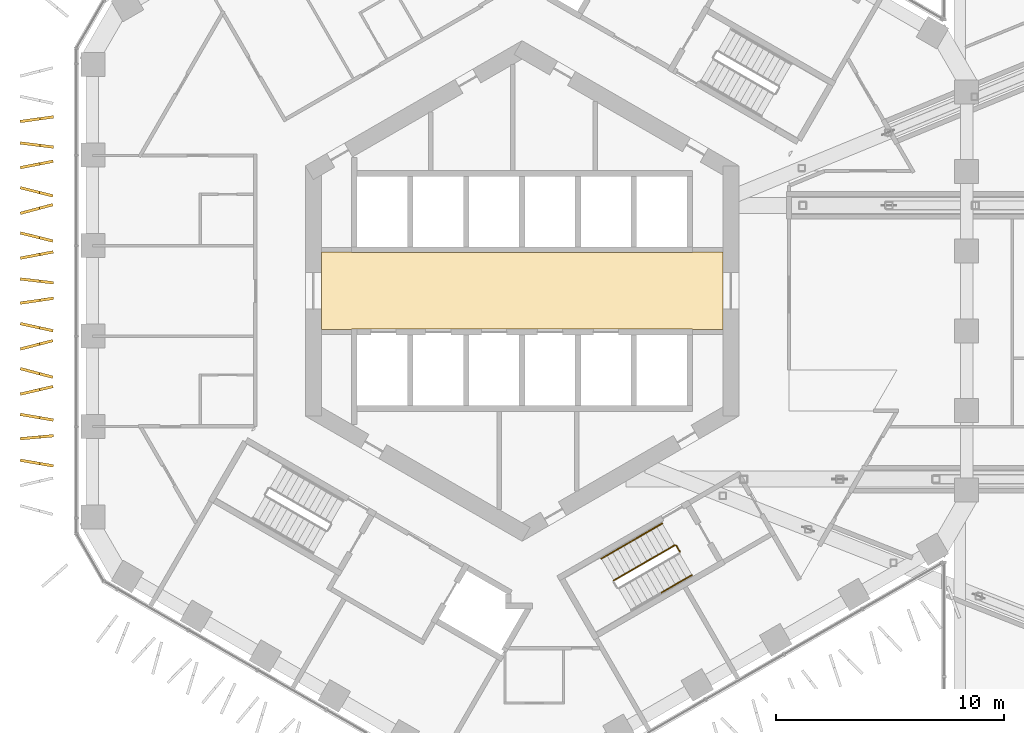
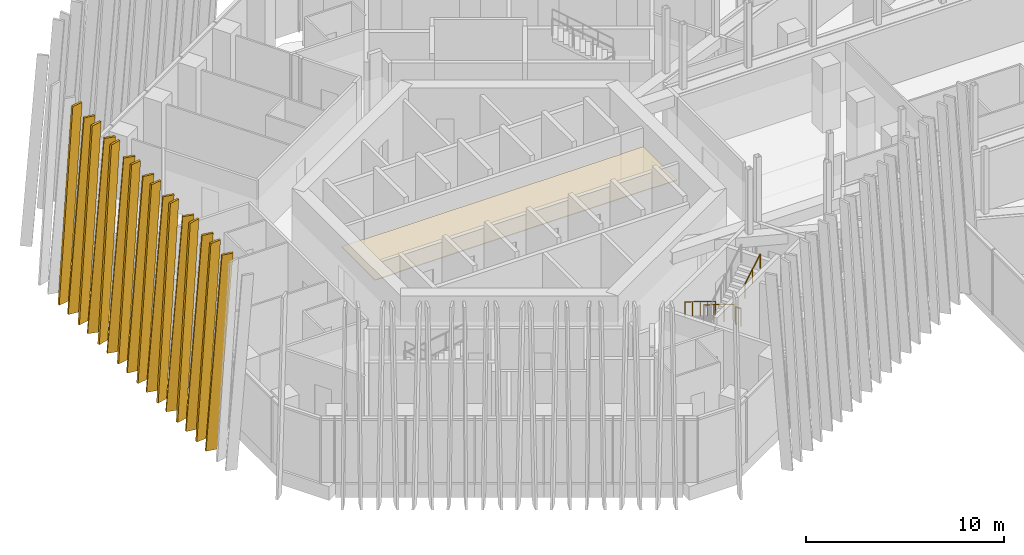
# One storey, part 26 of 28: 16 shading devices, 5 railings, 1 covering.
"""IFC4 building model written with IfcOpenShell, lengths in metres."""

from ifc_helpers import new_model, si_unit, direction, frame, origin, origin_2d, place, context, subcontext, project, spatial, polyline, circle, outline, extrude, material, layer, layer_set, type_object, element, save


model = new_model("IFC4")

# Units and contexts
model_context = context("Model", 3, precision=1e-05, world=origin(), true_north=direction((0.0, 1.0)))
body_context = subcontext(model_context, "Body", "Model", "MODEL_VIEW")
ifc_project = project(units=[si_unit("LENGTHUNIT", "METRE"), si_unit("AREAUNIT", "SQUARE_METRE"), si_unit("VOLUMEUNIT", "CUBIC_METRE"), si_unit("PLANEANGLEUNIT", "RADIAN"), si_unit("MASSUNIT", "GRAM", prefix="KILO")], contexts=[model_context])

# Site, building, storey
site_placement = place(None, origin())
site = spatial("IfcSite", under=ifc_project, at=site_placement, CompositionType="ELEMENT")
building_placement = place(site_placement, origin())
building = spatial("IfcBuilding", under=site, at=building_placement, Name="Ayvan Gate Tower", CompositionType="ELEMENT")
storey_placement = place(building_placement, frame((0.0, 0.0, 120.5)))
storey = spatial("IfcBuildingStorey", under=building, at=storey_placement, Name="L32", CompositionType="ELEMENT", Elevation=120.5)

# Shading devices
ifc_material_1 = material(Name="Bronze anodised aluminium", Category="aluminium")
ifc_layer_1 = layer(ifc_material_1, 0.1201171875)
ifc_layer_set_1 = layer_set([ifc_layer_1], Name="Bronze anodised aluminium")
shading_device_type = type_object("IfcShadingDeviceType", Name="Bronze fin 600 x 120", PredefinedType="USERDEFINED", material=ifc_layer_set_1)
shading_device_1_placement = place(storey_placement, frame((-21.40869140625, 7.5693359375, 0.0), z_axis=(-0.139142622018, 0.990272345003, 0.000116018237), x_axis=(-0.990272351668, -0.139142622954, 0.0)))
element("IfcShadingDevice", 1, at=shading_device_1_placement, inside=storey, type_object=shading_device_type, Name="Bronze fin FG11.10.117", ObjectType="FIN", PredefinedType="USERDEFINED", context=body_context, shape_type="SweptSolid", body=[
    extrude(outline(polyline([(0.0, 0.0), (0.600075605715199, 1.6940658945086007e-21), (-0.2712456323257532, 11.879882892452986), (-0.8713212380409522, 11.879882892452986), (0.0, 0.0)])), origin(), (0.0, 0.0, -1.0), 0.1201171875),
])
shading_device_2_placement = place(storey_placement, frame((-21.392333984375, 6.471923828125, 0.0), z_axis=(0.123283541368, 0.992371476554, 0.000144739623), x_axis=(-0.992371486949, 0.123283542659, 0.0)))
element("IfcShadingDevice", 2, at=shading_device_2_placement, inside=storey, type_object=shading_device_type, Name="Bronze fin FG11.10.118", ObjectType="FIN", PredefinedType="USERDEFINED", context=body_context, shape_type="SweptSolid", body=[
    extrude(outline(polyline([(0.0, 0.0), (0.600036369651949, 0.0), (-0.271324757998227, 11.87988293693915), (-0.8713611276501759, 11.87988293693915), (0.0, 0.0)])), origin(), (0.0, 0.0, -1.0), 0.1201171875),
])
shading_device_3_placement = place(storey_placement, frame((-21.415283203125, 5.57763671875, 0.0), z_axis=(-0.195333484486, 0.980736870023, 0.000147021966), x_axis=(-0.980736880623, -0.195333486597, 0.0)))
element("IfcShadingDevice", 3, at=shading_device_3_placement, inside=storey, type_object=shading_device_type, Name="Bronze fin FG11.10.119", ObjectType="FIN", PredefinedType="USERDEFINED", context=body_context, shape_type="SweptSolid", body=[
    extrude(outline(polyline([(0.0, 0.0), (0.5999355361005015, 3.3881317890172014e-21), (-0.2712412033556911, 11.879882940894559), (-0.8711767394561927, 11.879882940894559), (0.0, 0.0)])), origin(), (0.0, 0.0, -1.0), 0.1201171875),
])
shading_device_4_placement = place(storey_placement, frame((-21.392578125, 4.4384765625, 0.0), z_axis=(0.242918566944, 0.970046672686, 0.000150483977), x_axis=(-0.970046683669, 0.242918569694, 0.0)))
element("IfcShadingDevice", 4, at=shading_device_4_placement, inside=storey, type_object=shading_device_type, Name="Bronze fin FG11.10.120", ObjectType="FIN", PredefinedType="USERDEFINED", context=body_context, shape_type="SweptSolid", body=[
    extrude(outline(polyline([(0.0, 0.0), (0.6000033398376335, 6.776263578034403e-21), (-0.27125455943198556, 11.879882947012513), (-0.8712578992696192, 11.879882947012513), (0.0, 0.0)])), origin(), (0.0, 0.0, -1.0), 0.1201171875),
])
shading_device_5_placement = place(storey_placement, frame((-21.424072265625, 3.614990234375, 0.0), z_axis=(-0.258776759226, 0.965937148433, 0.000119004117), x_axis=(-0.965937155273, -0.258776761059, 0.0)))
element("IfcShadingDevice", 5, at=shading_device_5_placement, inside=storey, type_object=shading_device_type, Name="Bronze fin FG11.10.121", ObjectType="FIN", PredefinedType="USERDEFINED", context=body_context, shape_type="SweptSolid", body=[
    extrude(outline(polyline([(0.0, 0.0), (0.6000285221314199, 0.0), (-0.27132751184973447, 11.87988289662133), (-0.8713560339811544, 11.87988289662133), (0.0, 0.0)])), origin(), (0.0, 0.0, -1.0), 0.1201171875),
])
shading_device_6_placement = place(storey_placement, frame((-21.392578125, 2.456787109375, 0.0), z_axis=(0.239086931689, 0.970998160018, 0.000111072524), x_axis=(-0.970998166008, 0.239086933162, 2.1946e-08)))
element("IfcShadingDevice", 6, at=shading_device_6_placement, inside=storey, type_object=shading_device_type, Name="Bronze fin FG11.10.122", ObjectType="FIN", PredefinedType="USERDEFINED", context=body_context, shape_type="SweptSolid", body=[
    extrude(outline(polyline([(0.0, 0.0), (0.5998890756497894, -3.3881317890172014e-21), (-0.2713690219555049, 11.879882891737275), (-0.8713164684385858, 11.87988291806942), (0.0, 0.0)])), origin(), (0.0, 0.0, -1.0), 0.1201171875),
])
shading_device_7_placement = place(storey_placement, frame((-21.414306640625, 1.609130859375, 0.0), z_axis=(-0.187579527412, 0.98224941252, 0.000111800518), x_axis=(-0.982249418659, -0.187579528584, 0.0)))
element("IfcShadingDevice", 7, at=shading_device_7_placement, inside=storey, type_object=shading_device_type, Name="Bronze fin FG11.10.123", ObjectType="FIN", PredefinedType="USERDEFINED", context=body_context, shape_type="SweptSolid", body=[
    extrude(outline(polyline([(0.0, 0.0), (0.6000059226856373, 0.0), (-0.27116577379841916, 11.879882886745442), (-0.8711716964840566, 11.879882886745442), (0.0, 0.0)])), origin(), (0.0, 0.0, -1.0), 0.1201171875),
])
shading_device_8_placement = place(storey_placement, frame((-21.392578125, 0.516845703125, 0.0), z_axis=(0.114963920064, 0.993369659741, 0.000127237293), x_axis=(-0.993369667782, 0.114963920992, 2.5719e-08)))
element("IfcShadingDevice", 8, at=shading_device_8_placement, inside=storey, type_object=shading_device_type, Name="Bronze fin FG11.10.124", ObjectType="FIN", PredefinedType="USERDEFINED", context=body_context, shape_type="SweptSolid", body=[
    extrude(outline(polyline([(0.0, 0.0), (0.599910933783354, 0.0), (-0.2715048894467744, 11.879882915646414), (-0.8714438905936517, 11.879882946504965), (0.0, 0.0)])), origin(), (0.0, 0.0, -1.0), 0.1201171875),
])
shading_device_9_placement = place(storey_placement, frame((-21.409423828125, -0.387451171875, 0.0), z_axis=(-0.14586295293, 0.989304797904, 0.000125723382), x_axis=(-0.989304805723, -0.145862954079, -2.9029e-08)))
element("IfcShadingDevice", 9, at=shading_device_9_placement, inside=storey, type_object=shading_device_type, Name="Bronze fin FG11.10.125", ObjectType="FIN", PredefinedType="USERDEFINED", context=body_context, shape_type="SweptSolid", body=[
    extrude(outline(polyline([(0.0, 0.0), (0.6001484924510518, 0.0), (-0.27123811515333873, 11.879882898515223), (-0.8711806891835788, 11.879882863678151), (0.0, 0.0)])), origin(), (0.0, 0.0, -1.0), 0.1201171875),
])
shading_device_10_placement = place(storey_placement, frame((-21.39208984375, -1.49951171875, 0.0), z_axis=(0.21158492706, 0.977359605382, 0.000142856117), x_axis=(-0.977359615355, 0.211584929219, 0.0)))
element("IfcShadingDevice", 10, at=shading_device_10_placement, inside=storey, type_object=shading_device_type, Name="Bronze fin FG11.10.126", ObjectType="FIN", PredefinedType="USERDEFINED", context=body_context, shape_type="SweptSolid", body=[
    extrude(outline(polyline([(0.0, 0.0), (0.6000102439641665, 0.0), (-0.27139617566686086, 11.879882933721555), (-0.8714064196310274, 11.879882933721555), (0.0, 0.0)])), origin(), (0.0, 0.0, -1.0), 0.1201171875),
])
shading_device_11_placement = place(storey_placement, frame((-21.4228515625, -2.33642578125, 0.0), z_axis=(-0.25104687957, 0.967974921389, 0.000125777554), x_axis=(-0.967974929046, -0.251046881556, 0.0)))
element("IfcShadingDevice", 11, at=shading_device_11_placement, inside=storey, type_object=shading_device_type, Name="Bronze fin FG11.10.127", ObjectType="FIN", PredefinedType="USERDEFINED", context=body_context, shape_type="SweptSolid", body=[
    extrude(outline(polyline([(0.0, 0.0), (0.6000264360643915, 0.0), (-0.27125117120288017, 11.879882906469835), (-0.8712776072672715, 11.879882906469835), (0.0, 0.0)])), origin(), (0.0, 0.0, -1.0), 0.1201171875),
])
shading_device_12_placement = place(storey_placement, frame((-21.39306640625, -3.498291015625, 0.0), z_axis=(0.256395898591, 0.966571839926, 0.000146448378), x_axis=(-0.966571850291, 0.25639590134, 0.0)))
element("IfcShadingDevice", 12, at=shading_device_12_placement, inside=storey, type_object=shading_device_type, Name="Bronze fin FG11.10.128", ObjectType="FIN", PredefinedType="USERDEFINED", context=body_context, shape_type="SweptSolid", body=[
    extrude(outline(polyline([(0.0, 0.0), (0.5998871001676402, 0.0), (-0.27148417933450364, 11.879882939894683), (-0.8713712795021438, 11.879882939894683), (0.0, 0.0)])), origin(), (0.0, 0.0, -1.0), 0.1201171875),
])
shading_device_13_placement = place(storey_placement, frame((-21.419677734375, -4.3271484375, 0.0), z_axis=(-0.227281071918, 0.973829194448, 0.000119952136), x_axis=(-0.973829201455, -0.22728107355, -2.377e-08)))
element("IfcShadingDevice", 13, at=shading_device_13_placement, inside=storey, type_object=shading_device_type, Name="Bronze fin FG11.10.129", ObjectType="FIN", PredefinedType="USERDEFINED", context=body_context, shape_type="SweptSolid", body=[
    extrude(outline(polyline([(0.0, 0.0), (0.5999013960258962, 0.0), (-0.2714283291430857, 11.87988289151521), (-0.8713852137123292, 11.87988286299512), (0.0, 0.0)])), origin(), (0.0, 0.0, -1.0), 0.1201171875),
])
shading_device_14_placement = place(storey_placement, frame((-21.391845703125, -5.45068359375, 0.0), z_axis=(0.168455572835, 0.985709239594, 0.000122307574), x_axis=(-0.985709246967, 0.168455574095, -4.193e-09)))
element("IfcShadingDevice", 14, at=shading_device_14_placement, inside=storey, type_object=shading_device_type, Name="Bronze fin FG11.10.130", ObjectType="FIN", PredefinedType="USERDEFINED", context=body_context, shape_type="SweptSolid", body=[
    extrude(outline(polyline([(0.0, 0.0), (0.5998848642161853, 0.0), (-0.271210460447509, 11.879882900219362), (-0.871335976335317, 11.879882895188228), (0.0, 0.0)])), origin(), (0.0, 0.0, -1.0), 0.1201171875),
])
shading_device_15_placement = place(storey_placement, frame((-21.404052734375, -6.36328125, 0.0), z_axis=(-0.091764833506, 0.995780698841, 0.000123072824), x_axis=(-0.995780706383, -0.091764834198, -2.4936e-08)))
element("IfcShadingDevice", 15, at=shading_device_15_placement, inside=storey, type_object=shading_device_type, Name="Bronze fin FG11.10.131", ObjectType="FIN", PredefinedType="USERDEFINED", context=body_context, shape_type="SweptSolid", body=[
    extrude(outline(polyline([(0.0, 0.0), (0.5999322451693687, 0.0), (-0.2712743846323506, 11.879882895707215), (-0.8712290333256935, 11.879882865786357), (0.0, 0.0)])), origin(), (0.0, 0.0, -1.0), 0.1201171875),
])
shading_device_16_placement = place(storey_placement, frame((-21.391845703125, -7.460693359375, 0.0), z_axis=(0.168455572835, 0.985709239594, 0.000122307574), x_axis=(-0.985709246967, 0.168455574095, -4.193e-09)))
element("IfcShadingDevice", 16, at=shading_device_16_placement, inside=storey, type_object=shading_device_type, Name="Bronze fin FG11.10.132", ObjectType="FIN", PredefinedType="USERDEFINED", context=body_context, shape_type="SweptSolid", body=[
    extrude(outline(polyline([(0.0, 0.0), (0.5998848642161853, 0.0), (-0.271210460447509, 11.879882900219362), (-0.871335976335317, 11.879882895188228), (0.0, 0.0)])), origin(), (0.0, 0.0, -1.0), 0.1201171875),
])

# Covering
ifc_material_2 = material(Name="Plasterboard suspended ceiling")
ifc_layer_2 = layer(ifc_material_2, 0.050048828125)
ifc_layer_set_2 = layer_set([ifc_layer_2], Name="Plasterboard suspended ceiling")
covering_type = type_object("IfcCoveringType", Name="CT-SUSP-50", PredefinedType="CEILING", material=ifc_layer_set_2)
covering_placement = place(storey_placement, frame((0.0, 0.0, 2.39990234375)))
element("IfcCovering", 17, at=covering_placement, inside=storey, type_object=covering_type, Name="Ceiling Lift Lobby L32", PredefinedType="CEILING", context=body_context, shape_type="SweptSolid", body=[
    extrude(outline(polyline([(7.47509765625, -1.675048828125), (-7.47509765625, -1.675048828125), (-7.47509765625, -1.699951171875), (-8.800048828125, -1.699951171875), (-8.800048828125, 1.699951171875), (-7.47509765625, 1.699951171875), (-7.47509765625, 1.675048828125), (7.47509765625, 1.675048828125), (7.47509765625, 1.699951171875), (8.800048828125, 1.699951171875), (8.800048828125, -1.699951171875), (7.47509765625, -1.699951171875), (7.47509765625, -1.675048828125)])), origin(), (0.0, 0.0, 1.0), 0.050048828125),
])

# Railings
ifc_material_3 = material(Name="Stainless steel balustrade", Category="steel")
railing_type_1 = type_object("IfcRailingType", Name="RL-GUARD-1100", PredefinedType="GUARDRAIL", material=ifc_material_3)
railing_1_placement = place(storey_placement, frame((6.6923828125, -11.1416015625, 0.166748046875)))
element("IfcRailing", 18, at=railing_1_placement, inside=storey, type_object=railing_type_1, Name="L32 STS3 stair guard 1", PredefinedType="GUARDRAIL", context=body_context, shape_type="SweptSolid", body=[
    extrude(circle(Radius=0.02392578125, at=origin_2d()), frame((0.0, 0.0, 1.076171875), z_axis=(-0.744211616859, -0.429593874019, 0.511466687808), x_axis=(0.499932877268, -0.866064153644, 0.0)), (0.0, 0.0, 1.0), 3.584228515625),
    extrude(circle(Radius=0.02099609375, at=origin_2d()), origin(), (0.0, 0.0, 1.0), 1.052001953125),
    extrude(circle(Radius=0.02099609375, at=origin_2d()), frame((-0.88916015625, -0.51318359375, 0.611083984375)), (0.0, 0.0, 1.0), 1.052001953125),
    extrude(circle(Radius=0.02099609375, at=origin_2d()), frame((-1.7783203125, -1.026611328125, 1.22216796875)), (0.0, 0.0, 1.0), 1.052001953125),
    extrude(circle(Radius=0.02099609375, at=origin_2d()), frame((-2.66748046875, -1.539794921875, 1.833251953125)), (0.0, 0.0, 1.0), 1.052001953125),
])
railing_2_placement = place(storey_placement, frame((6.7607421875, -11.159912109375, 0.0)))
element("IfcRailing", 19, at=railing_2_placement, inside=storey, type_object=railing_type_1, Name="L32 STS3 stair guard 4", PredefinedType="GUARDRAIL", context=body_context, shape_type="SweptSolid", body=[
    extrude(circle(Radius=0.02392578125, at=origin_2d()), frame((0.0, 0.0, 1.076171875), z_axis=(0.500290723946, -0.86585748916, 0.0), x_axis=(0.86585748916, 0.500290723946, 0.0)), (0.0, 0.0, 1.0), 0.309814453125),
    extrude(circle(Radius=0.02099609375, at=origin_2d()), origin(), (0.0, 0.0, 1.0), 1.052001953125),
    extrude(circle(Radius=0.02099609375, at=origin_2d()), frame((0.155029296875, -0.268310546875, 0.0)), (0.0, 0.0, 1.0), 1.052001953125),
])
railing_type_2 = type_object("IfcRailingType", Name="RL-HANDRAIL-900", PredefinedType="HANDRAIL", material=ifc_material_3)
railing_3_placement = place(storey_placement, frame((6.142333984375, -10.18896484375, 0.166748046875)))
element("IfcRailing", 20, at=railing_3_placement, inside=storey, type_object=railing_type_2, Name="L32 STS3 stair handrail 1", PredefinedType="HANDRAIL", context=body_context, shape_type="SweptSolid", body=[
    extrude(circle(Radius=0.02392578125, at=origin_2d()), frame((0.0, 0.0, 0.8759765625), z_axis=(-0.744215763664, -0.42966438195, 0.511401423539), x_axis=(0.499992328818, -0.866029832698, 0.0)), (0.0, 0.0, 1.0), 1.792236328125),
    extrude(circle(Radius=0.02099609375, at=origin_2d()), origin(), (0.0, 0.0, 1.0), 0.851806640625),
    extrude(circle(Radius=0.02099609375, at=origin_2d()), frame((-0.6669921875, -0.385009765625, 0.458251953125)), (0.0, 0.0, 1.0), 0.851806640625),
    extrude(circle(Radius=0.02099609375, at=origin_2d()), frame((-1.333740234375, -0.77001953125, 0.91650390625)), (0.0, 0.0, 1.0), 0.851806640625),
])
railing_4_placement = place(storey_placement, frame((4.80859375, -10.958984375, 1.083251953125)))
element("IfcRailing", 21, at=railing_4_placement, inside=storey, type_object=railing_type_2, Name="L32 STS3 stair handrail 2", PredefinedType="HANDRAIL", context=body_context, shape_type="SweptSolid", body=[
    extrude(circle(Radius=0.02392578125, at=origin_2d()), frame((0.0, 0.0, 0.8759765625), z_axis=(-0.744146675635, -0.429566911072, 0.511583809412), x_axis=(0.499942064311, -0.866058850386, 0.0)), (0.0, 0.0, 1.0), 1.7919921875),
    extrude(circle(Radius=0.02099609375, at=origin_2d()), origin(), (0.0, 0.0, 1.0), 0.851806640625),
    extrude(circle(Radius=0.02099609375, at=origin_2d()), frame((-0.666748046875, -0.384765625, 0.45849609375)), (0.0, 0.0, 1.0), 0.851806640625),
    extrude(circle(Radius=0.02099609375, at=origin_2d()), frame((-1.33349609375, -0.769775390625, 0.916748046875)), (0.0, 0.0, 1.0), 0.851806640625),
])
railing_5_placement = place(storey_placement, frame((6.11376953125, -13.21923828125, 3.083251953125)))
element("IfcRailing", 22, at=railing_5_placement, inside=storey, type_object=railing_type_2, Name="L32 STS3 stair handrail 4", PredefinedType="HANDRAIL", context=body_context, shape_type="SweptSolid", body=[
    extrude(circle(Radius=0.02392578125, at=origin_2d()), frame((0.0, 0.0, 0.8759765625), z_axis=(0.744103121745, 0.429678001828, 0.51155386711), x_axis=(-0.500060979923, 0.865990194147, 0.0)), (0.0, 0.0, 1.0), 1.7919921875),
    extrude(circle(Radius=0.02099609375, at=origin_2d()), origin(), (0.0, 0.0, 1.0), 0.851806640625),
    extrude(circle(Radius=0.02099609375, at=origin_2d()), frame((0.666748046875, 0.385009765625, 0.45849609375)), (0.0, 0.0, 1.0), 0.851806640625),
    extrude(circle(Radius=0.02099609375, at=origin_2d()), frame((1.33349609375, 0.77001953125, 0.916748046875)), (0.0, 0.0, 1.0), 0.851806640625),
])

save(model, "model.ifc")
